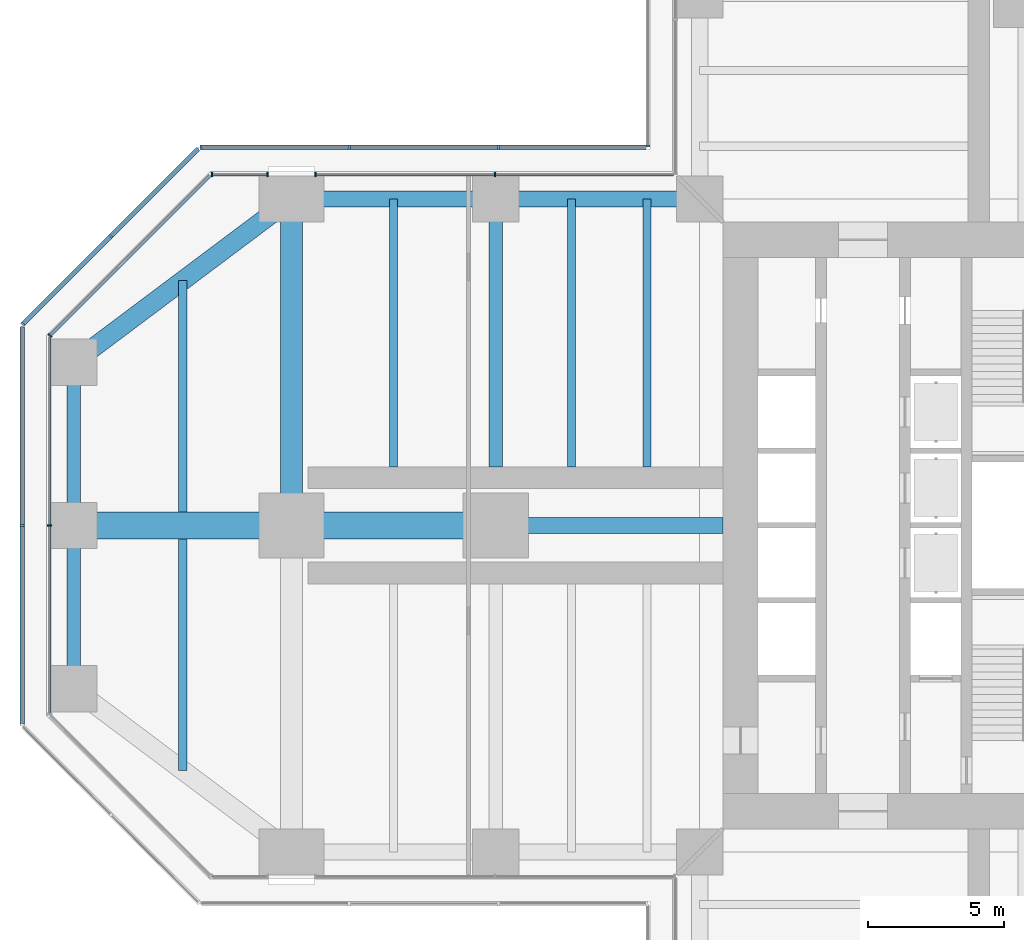
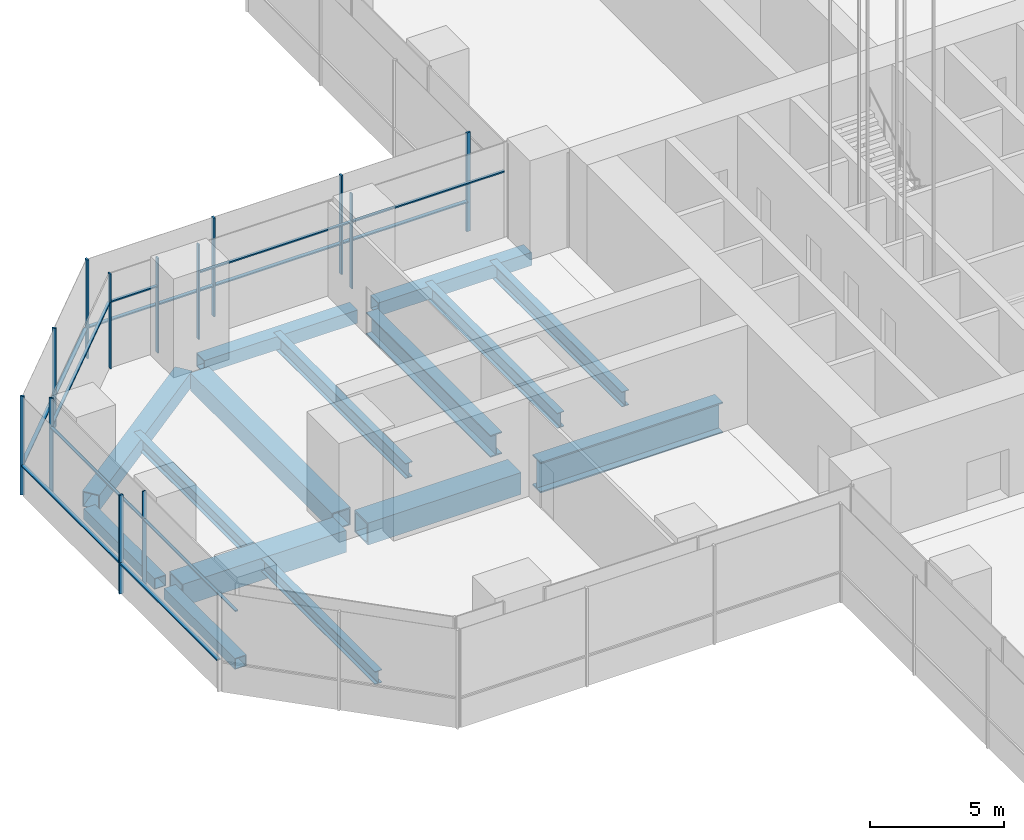
# One storey, part 7 of 27: 26 members, 15 beams, 8 elements without a shape of their own.
"""IFC4 building model written with IfcOpenShell, lengths in metres."""

from ifc_helpers import new_model, si_unit, direction, frame, origin, origin_2d, place, context, subcontext, project, spatial, rectangle, hollow_rectangle, i_section, extrude, material, material_profile, profile_set, type_object, element, aggregate, save


model = new_model("IFC4")

# Units and contexts
model_context = context("Model", 3, precision=1e-05, world=origin(), true_north=direction((0.0, 1.0)))
body_context = subcontext(model_context, "Body", "Model", "MODEL_VIEW")
ifc_project = project(units=[si_unit("LENGTHUNIT", "METRE"), si_unit("AREAUNIT", "SQUARE_METRE"), si_unit("VOLUMEUNIT", "CUBIC_METRE"), si_unit("PLANEANGLEUNIT", "RADIAN"), si_unit("MASSUNIT", "GRAM", prefix="KILO")], contexts=[model_context])

# Site, building, storey
site_placement = place(None, origin())
site = spatial("IfcSite", under=ifc_project, at=site_placement, CompositionType="ELEMENT")
building_placement = place(site_placement, origin())
building = spatial("IfcBuilding", under=site, at=building_placement, Name="Mizan Broadcast Tower", CompositionType="ELEMENT")
storey_placement = place(building_placement, frame((0.0, 0.0, 113.699951171875)))
storey = spatial("IfcBuildingStorey", under=building, at=storey_placement, Name="L25", CompositionType="ELEMENT", Elevation=113.699951171875)

# Beams
ifc_material_1 = material(Name="Steel S355", Category="steel")
ifc_material_profile_1 = material_profile(ifc_material_1, hollow_rectangle(XDim=0.5, YDim=0.5, WallThickness=0.030029296875, at=origin_2d()), Name="BOX 500x500x30")
ifc_profile_set_1 = profile_set([ifc_material_profile_1], Name="Steel S355")
beam_type_1 = type_object("IfcBeamType", Name="EDGE BEAM BOX 500x500x30", PredefinedType="SPANDREL", material=ifc_profile_set_1)
for number, where, z_axis, x_axis, name in (
    (1, (-35.0, 5.639892578125, -0.3798828125), (0.0, -1.0, 0.0), (1.0, 0.0, 0.0), "Edge beam BOX 500x500x30 L25 west arm"),
    (2, (-35.0, -5.639892578125, -0.3798828125), (0.0, 1.0, 0.0), (-1.0, 0.0, 0.0), "Edge beam BOX 500x500x30 L25 west arm"),
):
    element("IfcBeam", number, at=place(storey_placement, frame(where, z_axis=z_axis, x_axis=x_axis)), inside=storey, type_object=beam_type_1, Name=name, PredefinedType="SPANDREL", context=body_context, shape_type="SweptSolid", body=[
        extrude(hollow_rectangle(XDim=0.5, YDim=0.5, WallThickness=0.030029296875, at=origin_2d()), origin(), (0.0, 0.0, 1.0), 5.27978515625),
    ])
ifc_material_2 = material(Name="Steel S355", Category="steel")
ifc_material_profile_2 = material_profile(ifc_material_2, hollow_rectangle(XDim=0.60009765625, YDim=0.60009765625, WallThickness=0.0400390625, at=origin_2d()), Name="BOX 600x600x40")
ifc_profile_set_2 = profile_set([ifc_material_profile_2], Name="Steel S355")
beam_type_2 = type_object("IfcBeamType", Name="EDGE BEAM BOX 600x600x40", PredefinedType="SPANDREL", material=ifc_profile_set_2)
for number, where, z_axis, x_axis, name in (
    (3, (-12.449951171875, 12.0, -0.429931640625), (-1.0, 0.0, 0.0), (0.0, -1.0, 0.0), "Edge beam BOX 600x600x40 L25 west arm"),
    (4, (-19.949951171875, 12.0, -0.429931640625), (-1.0, 0.0, 0.0), (0.0, -1.0, 0.0), "Edge beam BOX 600x600x40 L25 west arm"),
):
    element("IfcBeam", number, at=place(storey_placement, frame(where, z_axis=z_axis, x_axis=x_axis)), inside=storey, type_object=beam_type_2, Name=name, PredefinedType="SPANDREL", context=body_context, shape_type="SweptSolid", body=[
        extrude(hollow_rectangle(XDim=0.60009765625, YDim=0.60009765625, WallThickness=0.0400390625, at=origin_2d()), origin(), (0.0, 0.0, 1.0), 6.60009765625),
    ])
ifc_material_3 = material(Name="Steel S355", Category="steel")
ifc_material_profile_3 = material_profile(ifc_material_3, hollow_rectangle(XDim=0.699951171875, YDim=0.699951171875, WallThickness=0.0400390625, at=origin_2d()), Name="BOX 700x700x40")
ifc_profile_set_3 = profile_set([ifc_material_profile_3], Name="Steel S355")
beam_type_3 = type_object("IfcBeamType", Name="EDGE BEAM BOX 700x700x40", PredefinedType="SPANDREL", material=ifc_profile_set_3)
beam_1_placement = place(storey_placement, frame((-27.47998046875, 11.639892578125, -0.47998046875), z_axis=(-0.800013316712, -0.599982243973, 0.0), x_axis=(0.599982243973, -0.800013316712, 0.0)))
element("IfcBeam", 5, at=beam_1_placement, inside=storey, type_object=beam_type_3, Name="Edge beam BOX 700x700x40 L25 west arm", PredefinedType="SPANDREL", context=body_context, shape_type="SweptSolid", body=[
    extrude(hollow_rectangle(XDim=0.699951171875, YDim=0.699951171875, WallThickness=0.0400390625, at=origin_2d()), origin(), (0.0, 0.0, 1.0), 8.7998046875),
])
ifc_material_4 = material(Name="Steel S460", Category="steel")
ifc_material_profile_4 = material_profile(ifc_material_4, hollow_rectangle(XDim=1.0, YDim=1.0, WallThickness=0.080078125, at=origin_2d()), Name="BOX 1000x1000x80")
ifc_profile_set_4 = profile_set([ifc_material_profile_4], Name="Steel S460")
beam_type_4 = type_object("IfcBeamType", Name="GIRDER BOX 1000x1000x80", PredefinedType="BEAM", material=ifc_profile_set_4)
beam_2_placement = place(storey_placement, frame((-19.949951171875, 0.0, -0.6298828125), z_axis=(-1.0, 0.0, 0.0), x_axis=(0.0, -1.0, 0.0)))
element("IfcBeam", 6, at=beam_2_placement, inside=storey, type_object=beam_type_4, Name="Girder BOX 1000x1000x80 L25 west arm", PredefinedType="BEAM", context=body_context, shape_type="SweptSolid", body=[
    extrude(hollow_rectangle(XDim=1.0, YDim=1.0, WallThickness=0.080078125, at=origin_2d()), origin(), (0.0, 0.0, 1.0), 6.60009765625),
])
beam_3_placement = place(storey_placement, frame((-27.47998046875, 0.0, -0.6298828125), z_axis=(-1.0, 0.0, 0.0), x_axis=(0.0, -1.0, 0.0)))
element("IfcBeam", 7, at=beam_3_placement, inside=storey, type_object=beam_type_4, Name="Girder BOX 1000x1000x80 L25 west arm", PredefinedType="BEAM", context=body_context, shape_type="SweptSolid", body=[
    extrude(hollow_rectangle(XDim=1.0, YDim=1.0, WallThickness=0.080078125, at=origin_2d()), origin(), (0.0, 0.0, 1.0), 7.0400390625),
])
ifc_material_5 = material(Name="Steel S460", Category="steel")
ifc_material_profile_5 = material_profile(ifc_material_5, hollow_rectangle(XDim=0.800048828125, YDim=0.800048828125, WallThickness=0.050048828125, at=origin_2d()), Name="BOX 800x800x50")
ifc_profile_set_5 = profile_set([ifc_material_profile_5], Name="Steel S460")
beam_type_5 = type_object("IfcBeamType", Name="GIRDER BOX 800x800x50", PredefinedType="BEAM", material=ifc_profile_set_5)
beam_4_placement = place(storey_placement, frame((-27.0, 11.280029296875, -0.530029296875), z_axis=(0.0, -1.0, 0.0), x_axis=(1.0, 0.0, 0.0)))
element("IfcBeam", 8, at=beam_4_placement, inside=storey, type_object=beam_type_5, Name="Girder BOX 800x800x50 L25 west arm", PredefinedType="BEAM", context=body_context, shape_type="SweptSolid", body=[
    extrude(hollow_rectangle(XDim=0.800048828125, YDim=0.800048828125, WallThickness=0.050048828125, at=origin_2d()), origin(), (0.0, 0.0, 1.0), 10.56005859375),
])
ifc_material_6 = material(Name="Steel S460", Category="steel")
ifc_material_profile_6 = material_profile(ifc_material_6, i_section(OverallWidth=0.5, OverallDepth=1.0, WebThickness=0.02490234375, FlangeThickness=0.050048828125, at=origin_2d()), Name="WPG 1000x500")
ifc_profile_set_6 = profile_set([ifc_material_profile_6], Name="Steel S460")
beam_type_6 = type_object("IfcBeamType", Name="GIRDER WPG 1000x500", PredefinedType="BEAM", material=ifc_profile_set_6)
beam_5_placement = place(storey_placement, frame((-19.5, 11.408935546875, -0.6298828125), z_axis=(0.0, -1.0, 0.0), x_axis=(1.0, 0.0, 0.0)))
element("IfcBeam", 9, at=beam_5_placement, inside=storey, type_object=beam_type_6, Name="Girder WPG 1000x500 L25 west arm", PredefinedType="BEAM", context=body_context, shape_type="SweptSolid", body=[
    extrude(i_section(OverallWidth=0.5, OverallDepth=1.0, WebThickness=0.02490234375, FlangeThickness=0.050048828125, at=origin_2d()), origin(), (0.0, 0.0, 1.0), 9.259033203125),
])
ifc_material_7 = material(Name="Steel S460", Category="steel")
ifc_material_profile_7 = material_profile(ifc_material_7, i_section(OverallWidth=0.60009765625, OverallDepth=1.39990234375, WebThickness=0.02490234375, FlangeThickness=0.06005859375, at=origin_2d()), Name="WPG 1400x600")
ifc_profile_set_7 = profile_set([ifc_material_profile_7], Name="Steel S460")
beam_type_7 = type_object("IfcBeamType", Name="GIRDER WPG 1400x600", PredefinedType="BEAM", material=ifc_profile_set_7)
beam_6_placement = place(storey_placement, frame((-11.14990234375, 0.0, -0.829833984375), z_axis=(-1.0, 0.0, 0.0), x_axis=(0.0, -1.0, 0.0)))
element("IfcBeam", 10, at=beam_6_placement, inside=storey, type_object=beam_type_7, Name="Girder WPG 1400x600 L25 west arm", PredefinedType="BEAM", context=body_context, shape_type="SweptSolid", body=[
    extrude(i_section(OverallWidth=0.60009765625, OverallDepth=1.39990234375, WebThickness=0.02490234375, FlangeThickness=0.06005859375, at=origin_2d()), origin(), (0.0, 0.0, 1.0), 7.84912109375),
])

# Curtain wall, members
ifc_material_8 = material(Name="Aluminium framed glazing", Category="aluminium")
curtain_wall_type_1 = type_object("IfcCurtainWallType", Name="INNER SKIN MID ZONE", PredefinedType="USERDEFINED", material=ifc_material_8)
curtain_wall_1_placement = place(storey_placement, origin())
curtain_wall_1 = element("IfcCurtainWall", 11, at=curtain_wall_1_placement, inside=storey, type_object=curtain_wall_type_1, Name="Inner skin mid zone L25 W side", ObjectType="INNER SKIN MID ZONE", PredefinedType="USERDEFINED")
ifc_material_9 = material(Name="Aluminium, pale anodised", Category="aluminium")
ifc_material_profile_8 = material_profile(ifc_material_9, rectangle(XDim=0.159912109375, YDim=0.06005859375, at=origin_2d()), Name="MULLION 160x60")
ifc_profile_set_8 = profile_set([ifc_material_profile_8], Name="Aluminium, pale anodised")
member_type_1 = type_object("IfcMemberType", Name="INNER SKIN MULLION 60x160", PredefinedType="MULLION", material=ifc_profile_set_8)
member_1_placement = place(storey_placement, frame((-19.52490234375, 12.89990234375, 0.0), z_axis=(0.0, 0.0, 1.0), x_axis=(0.0, -1.0, 0.0)))
member_1 = element("IfcMember", 12, at=member_1_placement, type_object=member_type_1, Name="Inner skin mid zone L25 W side mullion 2", PredefinedType="MULLION", context=body_context, shape_type="SweptSolid", body=[
    extrude(rectangle(XDim=0.159912109375, YDim=0.06005859375, at=origin_2d()), origin(), (0.0, 0.0, 1.0), 4.320068359375),
])
member_2_placement = place(storey_placement, frame((-26.1201171875, 12.89990234375, 0.0), z_axis=(0.0, 0.0, 1.0), x_axis=(0.0, -1.0, 0.0)))
member_2 = element("IfcMember", 13, at=member_2_placement, type_object=member_type_1, Name="Inner skin mid zone L25 W side mullion 3", PredefinedType="MULLION", context=body_context, shape_type="SweptSolid", body=[
    extrude(rectangle(XDim=0.159912109375, YDim=0.06005859375, at=origin_2d()), origin(), (0.0, 0.0, 1.0), 4.320068359375),
])

curtain_wall_2_placement = place(storey_placement, origin())
curtain_wall_2 = element("IfcCurtainWall", 14, at=curtain_wall_2_placement, inside=storey, type_object=curtain_wall_type_1, Name="Inner skin mid zone L25 W side", ObjectType="INNER SKIN MID ZONE", PredefinedType="USERDEFINED")
member_3_placement = place(storey_placement, frame((-27.8798828125, 12.89990234375, 0.0), z_axis=(0.0, 0.0, 1.0), x_axis=(0.0, -1.0, 0.0)))
member_3 = element("IfcMember", 15, at=member_3_placement, type_object=member_type_1, Name="Inner skin mid zone L25 W side mullion 1", PredefinedType="MULLION", context=body_context, shape_type="SweptSolid", body=[
    extrude(rectangle(XDim=0.159912109375, YDim=0.06005859375, at=origin_2d()), origin(), (0.0, 0.0, 1.0), 4.320068359375),
])
member_4_placement = place(storey_placement, frame((-29.928466796875, 12.89990234375, 0.0), z_axis=(0.0, 0.0, 1.0), x_axis=(0.0, -1.0, 0.0)))
member_4 = element("IfcMember", 16, at=member_4_placement, type_object=member_type_1, Name="Inner skin mid zone L25 W side mullion 2", PredefinedType="MULLION", context=body_context, shape_type="SweptSolid", body=[
    extrude(rectangle(XDim=0.159912109375, YDim=0.06005859375, at=origin_2d()), origin(), (0.0, 0.0, 1.0), 4.320068359375),
])

# Curtain wall, member
curtain_wall_3_placement = place(storey_placement, origin())
curtain_wall_3 = element("IfcCurtainWall", 17, at=curtain_wall_3_placement, inside=storey, type_object=curtain_wall_type_1, Name="Inner skin mid zone L25 W chamfer", ObjectType="INNER SKIN MID ZONE", PredefinedType="USERDEFINED")
member_5_placement = place(storey_placement, frame((-35.87890625, 6.979736328125, 0.0), z_axis=(0.0, 0.0, 1.0), x_axis=(0.707106781187, -0.707106781187, 0.0)))
member_5 = element("IfcMember", 18, at=member_5_placement, type_object=member_type_1, Name="Inner skin mid zone L25 W chamfer mullion 2", PredefinedType="MULLION", context=body_context, shape_type="SweptSolid", body=[
    extrude(rectangle(XDim=0.159912109375, YDim=0.06005859375, at=origin_2d()), origin(), (0.0, 0.0, 1.0), 4.320068359375),
])

curtain_wall_4_placement = place(storey_placement, origin())
curtain_wall_4 = element("IfcCurtainWall", 19, at=curtain_wall_4_placement, inside=storey, type_object=curtain_wall_type_1, Name="Inner skin mid zone L25 W end", ObjectType="INNER SKIN MID ZONE", PredefinedType="USERDEFINED")
member_6_placement = place(storey_placement, frame((-35.89990234375, 0.0, 0.0), z_axis=(0.0, 0.0, 1.0), x_axis=(1.0, 0.0, 0.0)))
member_6 = element("IfcMember", 20, at=member_6_placement, type_object=member_type_1, Name="Inner skin mid zone L25 W end mullion 2", PredefinedType="MULLION", context=body_context, shape_type="SweptSolid", body=[
    extrude(rectangle(XDim=0.159912109375, YDim=0.06005859375, at=origin_2d()), origin(), (0.0, 0.0, 1.0), 4.320068359375),
])

# Member
ifc_material_10 = material(Name="Aluminium, pale anodised", Category="aluminium")
ifc_material_profile_9 = material_profile(ifc_material_10, rectangle(XDim=0.1201171875, YDim=0.06005859375, at=origin_2d()), Name="TRANSOM 120x60")
ifc_profile_set_9 = profile_set([ifc_material_profile_9], Name="Aluminium, pale anodised")
member_type_2 = type_object("IfcMemberType", Name="INNER SKIN TRANSOM 60x120", PredefinedType="USERDEFINED", material=ifc_profile_set_9)
member_7_placement = place(storey_placement, frame((-12.9599609375, 12.89990234375, 3.030029296875), z_axis=(-1.0, 0.0, 0.0), x_axis=(0.0, -1.0, 0.0)))
member_7 = element("IfcMember", 21, at=member_7_placement, type_object=member_type_2, Name="Inner skin mid zone L25 W side transom 1.1", ObjectType="TRANSOM", PredefinedType="USERDEFINED", context=body_context, shape_type="SweptSolid", body=[
    extrude(rectangle(XDim=0.1201171875, YDim=0.06005859375, at=origin_2d()), origin(), (0.0, 0.0, 1.0), 6.53515625),
])

member_8_placement = place(storey_placement, frame((-19.554931640625, 12.89990234375, 3.030029296875), z_axis=(-1.0, 0.0, 0.0), x_axis=(0.0, -1.0, 0.0)))
member_8 = element("IfcMember", 22, at=member_8_placement, type_object=member_type_2, Name="Inner skin mid zone L25 W side transom 2.1", ObjectType="TRANSOM", PredefinedType="USERDEFINED", context=body_context, shape_type="SweptSolid", body=[
    extrude(rectangle(XDim=0.1201171875, YDim=0.06005859375, at=origin_2d()), origin(), (0.0, 0.0, 1.0), 6.53515625),
])

aggregate(curtain_wall_1, [member_1, member_2, member_7, member_8])

member_9_placement = place(storey_placement, frame((-27.909912109375, 12.89990234375, 3.030029296875), z_axis=(-1.0, 0.0, 0.0), x_axis=(0.0, -1.0, 0.0)))
member_9 = element("IfcMember", 23, at=member_9_placement, type_object=member_type_2, Name="Inner skin mid zone L25 W side transom 1.1", ObjectType="TRANSOM", PredefinedType="USERDEFINED", context=body_context, shape_type="SweptSolid", body=[
    extrude(rectangle(XDim=0.1201171875, YDim=0.06005859375, at=origin_2d()), origin(), (0.0, 0.0, 1.0), 1.98876953125),
])

aggregate(curtain_wall_2, [member_3, member_4, member_9])

member_10_placement = place(storey_placement, frame((-30.0009765625, 12.857666015625, 3.030029296875), z_axis=(-0.707106781187, -0.707106781187, 0.0), x_axis=(0.707106781187, -0.707106781187, 0.0)))
member_10 = element("IfcMember", 24, at=member_10_placement, type_object=member_type_2, Name="Inner skin mid zone L25 W chamfer transom 1.1", ObjectType="TRANSOM", PredefinedType="USERDEFINED", context=body_context, shape_type="SweptSolid", body=[
    extrude(rectangle(XDim=0.1201171875, YDim=0.06005859375, at=origin_2d()), origin(), (0.0, 0.0, 1.0), 8.28271484375),
])

aggregate(curtain_wall_3, [member_5, member_10])

member_11_placement = place(storey_placement, frame((-35.89990234375, 6.898681640625, 3.030029296875), z_axis=(0.0, -1.0, 0.0), x_axis=(1.0, 0.0, 0.0)))
member_11 = element("IfcMember", 25, at=member_11_placement, type_object=member_type_2, Name="Inner skin mid zone L25 W end transom 1.1", ObjectType="TRANSOM", PredefinedType="USERDEFINED", context=body_context, shape_type="SweptSolid", body=[
    extrude(rectangle(XDim=0.1201171875, YDim=0.06005859375, at=origin_2d()), origin(), (0.0, 0.0, 1.0), 6.86865234375),
])

member_12_placement = place(storey_placement, frame((-35.89990234375, -0.030029296875, 3.030029296875), z_axis=(0.0, -1.0, 0.0), x_axis=(1.0, 0.0, 0.0)))
member_12 = element("IfcMember", 26, at=member_12_placement, type_object=member_type_2, Name="Inner skin mid zone L25 W end transom 2.1", ObjectType="TRANSOM", PredefinedType="USERDEFINED", context=body_context, shape_type="SweptSolid", body=[
    extrude(rectangle(XDim=0.1201171875, YDim=0.06005859375, at=origin_2d()), origin(), (0.0, 0.0, 1.0), 6.86865234375),
])

aggregate(curtain_wall_4, [member_6, member_11, member_12])

# Curtain wall, member
ifc_material_11 = material(Name="Aluminium framed glazing", Category="aluminium")
curtain_wall_type_2 = type_object("IfcCurtainWallType", Name="OUTER SKIN", PredefinedType="USERDEFINED", material=ifc_material_11)
curtain_wall_5_placement = place(storey_placement, origin())
curtain_wall_5 = element("IfcCurtainWall", 27, at=curtain_wall_5_placement, inside=storey, type_object=curtain_wall_type_2, Name="Outer skin L25 N side", ObjectType="OUTER SKIN", PredefinedType="USERDEFINED")
ifc_material_12 = material(Name="Aluminium, pale anodised", Category="aluminium")
ifc_material_profile_10 = material_profile(ifc_material_12, rectangle(XDim=0.159912109375, YDim=0.080078125, at=origin_2d()), Name="MULLION 160x80")
ifc_profile_set_10 = profile_set([ifc_material_profile_10], Name="Aluminium, pale anodised")
member_type_3 = type_object("IfcMemberType", Name="OUTER SKIN MULLION 80x160", PredefinedType="MULLION", material=ifc_profile_set_10)
member_13_placement = place(storey_placement, frame((-13.89990234375, 13.93994140625, 0.0), z_axis=(0.0, 0.0, 1.0), x_axis=(1.0, 0.0, 0.0)))
member_13 = element("IfcMember", 28, at=member_13_placement, type_object=member_type_3, Name="Outer skin L25 N side mullion 4", PredefinedType="MULLION", context=body_context, shape_type="SweptSolid", body=[
    extrude(rectangle(XDim=0.159912109375, YDim=0.080078125, at=origin_2d()), origin(), (0.0, 0.0, 1.0), 4.5),
])
aggregate(curtain_wall_5, [member_13])

# Curtain wall, members
curtain_wall_6_placement = place(storey_placement, origin())
curtain_wall_6 = element("IfcCurtainWall", 29, at=curtain_wall_6_placement, inside=storey, type_object=curtain_wall_type_2, Name="Outer skin L25 W side", ObjectType="OUTER SKIN", PredefinedType="USERDEFINED")
member_14_placement = place(storey_placement, frame((-19.390869140625, 13.89990234375, 0.0), z_axis=(0.0, 0.0, 1.0), x_axis=(0.0, -1.0, 0.0)))
member_14 = element("IfcMember", 30, at=member_14_placement, type_object=member_type_3, Name="Outer skin L25 W side mullion 2", PredefinedType="MULLION", context=body_context, shape_type="SweptSolid", body=[
    extrude(rectangle(XDim=0.159912109375, YDim=0.080078125, at=origin_2d()), origin(), (0.0, 0.0, 1.0), 4.5),
])
member_15_placement = place(storey_placement, frame((-24.8818359375, 13.89990234375, 0.0), z_axis=(0.0, 0.0, 1.0), x_axis=(0.0, -1.0, 0.0)))
member_15 = element("IfcMember", 31, at=member_15_placement, type_object=member_type_3, Name="Outer skin L25 W side mullion 3", PredefinedType="MULLION", context=body_context, shape_type="SweptSolid", body=[
    extrude(rectangle(XDim=0.159912109375, YDim=0.080078125, at=origin_2d()), origin(), (0.0, 0.0, 1.0), 4.5),
])
member_16_placement = place(storey_placement, frame((-30.332763671875, 13.89990234375, 0.0), z_axis=(0.0, 0.0, 1.0), x_axis=(0.0, -1.0, 0.0)))
member_16 = element("IfcMember", 32, at=member_16_placement, type_object=member_type_3, Name="Outer skin L25 W side mullion 4", PredefinedType="MULLION", context=body_context, shape_type="SweptSolid", body=[
    extrude(rectangle(XDim=0.159912109375, YDim=0.080078125, at=origin_2d()), origin(), (0.0, 0.0, 1.0), 4.5),
])

curtain_wall_7_placement = place(storey_placement, origin())
curtain_wall_7 = element("IfcCurtainWall", 33, at=curtain_wall_7_placement, inside=storey, type_object=curtain_wall_type_2, Name="Outer skin L25 W chamfer", ObjectType="OUTER SKIN", PredefinedType="USERDEFINED")
member_17_placement = place(storey_placement, frame((-33.636474609375, 10.636474609375, 0.0), z_axis=(0.0, 0.0, 1.0), x_axis=(0.707106781187, -0.707106781187, 0.0)))
member_17 = element("IfcMember", 34, at=member_17_placement, type_object=member_type_3, Name="Outer skin L25 W chamfer mullion 2", PredefinedType="MULLION", context=body_context, shape_type="SweptSolid", body=[
    extrude(rectangle(XDim=0.159912109375, YDim=0.080078125, at=origin_2d()), origin(), (0.0, 0.0, 1.0), 4.5),
])
member_18_placement = place(storey_placement, frame((-36.871826171875, 7.401123046875, 0.0), z_axis=(0.0, 0.0, 1.0), x_axis=(0.707106781187, -0.707106781187, 0.0)))
member_18 = element("IfcMember", 35, at=member_18_placement, type_object=member_type_3, Name="Outer skin L25 W chamfer mullion 3", PredefinedType="MULLION", context=body_context, shape_type="SweptSolid", body=[
    extrude(rectangle(XDim=0.159912109375, YDim=0.080078125, at=origin_2d()), origin(), (0.0, 0.0, 1.0), 4.5),
])

# Curtain wall, member
curtain_wall_8_placement = place(storey_placement, origin())
curtain_wall_8 = element("IfcCurtainWall", 36, at=curtain_wall_8_placement, inside=storey, type_object=curtain_wall_type_2, Name="Outer skin L25 W end", ObjectType="OUTER SKIN", PredefinedType="USERDEFINED")
member_19_placement = place(storey_placement, frame((-36.89990234375, 0.0, 0.0), z_axis=(0.0, 0.0, 1.0), x_axis=(1.0, 0.0, 0.0)))
member_19 = element("IfcMember", 37, at=member_19_placement, type_object=member_type_3, Name="Outer skin L25 W end mullion 2", PredefinedType="MULLION", context=body_context, shape_type="SweptSolid", body=[
    extrude(rectangle(XDim=0.159912109375, YDim=0.080078125, at=origin_2d()), origin(), (0.0, 0.0, 1.0), 4.5),
])

# Member
ifc_material_13 = material(Name="Aluminium, pale anodised", Category="aluminium")
ifc_material_profile_11 = material_profile(ifc_material_13, rectangle(XDim=0.159912109375, YDim=0.06005859375, at=origin_2d()), Name="TRANSOM 160x60")
ifc_profile_set_11 = profile_set([ifc_material_profile_11], Name="Aluminium, pale anodised")
member_type_4 = type_object("IfcMemberType", Name="OUTER SKIN TRANSOM 60x160", PredefinedType="USERDEFINED", material=ifc_profile_set_11)
member_20_placement = place(storey_placement, frame((-13.97998046875, 13.89990234375, 1.400146484375), z_axis=(-1.0, 0.0, 0.0), x_axis=(0.0, -1.0, 0.0)))
member_20 = element("IfcMember", 38, at=member_20_placement, type_object=member_type_4, Name="Outer skin L25 W side transom 1.1", ObjectType="TRANSOM", PredefinedType="USERDEFINED", context=body_context, shape_type="SweptSolid", body=[
    extrude(rectangle(XDim=0.159912109375, YDim=0.06005859375, at=origin_2d()), origin(), (0.0, 0.0, 1.0), 5.370849609375),
])

member_21_placement = place(storey_placement, frame((-19.430908203125, 13.89990234375, 1.400146484375), z_axis=(-1.0, 0.0, 0.0), x_axis=(0.0, -1.0, 0.0)))
member_21 = element("IfcMember", 39, at=member_21_placement, type_object=member_type_4, Name="Outer skin L25 W side transom 2.1", ObjectType="TRANSOM", PredefinedType="USERDEFINED", context=body_context, shape_type="SweptSolid", body=[
    extrude(rectangle(XDim=0.159912109375, YDim=0.06005859375, at=origin_2d()), origin(), (0.0, 0.0, 1.0), 5.410888671875),
])

member_22_placement = place(storey_placement, frame((-24.921875, 13.89990234375, 1.400146484375), z_axis=(-1.0, 0.0, 0.0), x_axis=(0.0, -1.0, 0.0)))
member_22 = element("IfcMember", 40, at=member_22_placement, type_object=member_type_4, Name="Outer skin L25 W side transom 3.1", ObjectType="TRANSOM", PredefinedType="USERDEFINED", context=body_context, shape_type="SweptSolid", body=[
    extrude(rectangle(XDim=0.159912109375, YDim=0.06005859375, at=origin_2d()), origin(), (0.0, 0.0, 1.0), 5.370849609375),
])

aggregate(curtain_wall_6, [member_14, member_15, member_16, member_20, member_21, member_22])

member_23_placement = place(storey_placement, frame((-30.429443359375, 13.843505859375, 1.400146484375), z_axis=(-0.707106781187, -0.707106781187, 0.0), x_axis=(0.707106781187, -0.707106781187, 0.0)))
member_23 = element("IfcMember", 41, at=member_23_placement, type_object=member_type_4, Name="Outer skin L25 W chamfer transom 1.1", ObjectType="TRANSOM", PredefinedType="USERDEFINED", context=body_context, shape_type="SweptSolid", body=[
    extrude(rectangle(XDim=0.159912109375, YDim=0.06005859375, at=origin_2d()), origin(), (0.0, 0.0, 1.0), 4.495361328125),
])

member_24_placement = place(storey_placement, frame((-33.664794921875, 10.608154296875, 1.400146484375), z_axis=(-0.707106781187, -0.707106781187, 0.0), x_axis=(0.707106781187, -0.707106781187, 0.0)))
member_24 = element("IfcMember", 42, at=member_24_placement, type_object=member_type_4, Name="Outer skin L25 W chamfer transom 2.1", ObjectType="TRANSOM", PredefinedType="USERDEFINED", context=body_context, shape_type="SweptSolid", body=[
    extrude(rectangle(XDim=0.159912109375, YDim=0.06005859375, at=origin_2d()), origin(), (0.0, 0.0, 1.0), 4.495361328125),
])

aggregate(curtain_wall_7, [member_17, member_18, member_23, member_24])

member_25_placement = place(storey_placement, frame((-36.89990234375, 7.292724609375, 1.400146484375), z_axis=(0.0, -1.0, 0.0), x_axis=(1.0, 0.0, 0.0)))
member_25 = element("IfcMember", 43, at=member_25_placement, type_object=member_type_4, Name="Outer skin L25 W end transom 1.1", ObjectType="TRANSOM", PredefinedType="USERDEFINED", context=body_context, shape_type="SweptSolid", body=[
    extrude(rectangle(XDim=0.159912109375, YDim=0.06005859375, at=origin_2d()), origin(), (0.0, 0.0, 1.0), 7.252685546875),
])

member_26_placement = place(storey_placement, frame((-36.89990234375, -0.0400390625, 1.400146484375), z_axis=(0.0, -1.0, 0.0), x_axis=(1.0, 0.0, 0.0)))
member_26 = element("IfcMember", 44, at=member_26_placement, type_object=member_type_4, Name="Outer skin L25 W end transom 2.1", ObjectType="TRANSOM", PredefinedType="USERDEFINED", context=body_context, shape_type="SweptSolid", body=[
    extrude(rectangle(XDim=0.159912109375, YDim=0.06005859375, at=origin_2d()), origin(), (0.0, 0.0, 1.0), 7.252685546875),
])

aggregate(curtain_wall_8, [member_19, member_25, member_26])

# Beams
ifc_material_14 = material(Name="Steel S355", Category="steel")
ifc_material_profile_12 = material_profile(ifc_material_14, i_section(OverallWidth=0.300048828125, OverallDepth=0.590087890625, WebThickness=0.012939453125, FlangeThickness=0.02490234375, FilletRadius=0.027099609375, at=origin_2d()), Name="HEA 600")
ifc_profile_set_12 = profile_set([ifc_material_profile_12], Name="Steel S355")
beam_type_8 = type_object("IfcBeamType", Name="SECONDARY BEAM HEA 600", PredefinedType="JOIST", material=ifc_profile_set_12)
for number, where, z_axis, x_axis, name in (
    (45, (-31.0, 9.0, -0.425048828125), (0.0, -1.0, 0.0), (1.0, 0.0, 0.0), "Secondary beam HEA 600 L25 west arm"),
    (46, (-31.0, -9.0, -0.425048828125), (0.0, 1.0, 0.0), (-1.0, 0.0, 0.0), "Secondary beam HEA 600 L25 west arm"),
):
    element("IfcBeam", number, at=place(storey_placement, frame(where, z_axis=z_axis, x_axis=x_axis)), inside=storey, type_object=beam_type_8, Name=name, PredefinedType="JOIST", context=body_context, shape_type="SweptSolid", body=[
        extrude(i_section(OverallWidth=0.300048828125, OverallDepth=0.590087890625, WebThickness=0.012939453125, FlangeThickness=0.02490234375, FilletRadius=0.027099609375, at=origin_2d()), origin(), (0.0, 0.0, 1.0), 8.5),
    ])
ifc_material_15 = material(Name="Steel S355", Category="steel")
ifc_material_profile_13 = material_profile(ifc_material_15, i_section(OverallWidth=0.300048828125, OverallDepth=0.68994140625, WebThickness=0.014404296875, FlangeThickness=0.027099609375, FilletRadius=0.027099609375, at=origin_2d()), Name="HEA 700")
ifc_profile_set_13 = profile_set([ifc_material_profile_13], Name="Steel S355")
beam_type_9 = type_object("IfcBeamType", Name="SECONDARY BEAM HEA 700", PredefinedType="JOIST", material=ifc_profile_set_13)
for number, where, z_axis, x_axis, name in (
    (47, (-13.933349609375, 12.0, -0.474853515625), (0.0, -1.0, 0.0), (1.0, 0.0, 0.0), "Secondary beam HEA 700 L25 west arm"),
    (48, (-16.716552734375, 12.0, -0.474853515625), (0.0, -1.0, 0.0), (1.0, 0.0, 0.0), "Secondary beam HEA 700 L25 west arm"),
    (49, (-23.25, 12.0, -0.474853515625), (0.0, -1.0, 0.0), (1.0, 0.0, 0.0), "Secondary beam HEA 700 L25 west arm"),
):
    element("IfcBeam", number, at=place(storey_placement, frame(where, z_axis=z_axis, x_axis=x_axis)), inside=storey, type_object=beam_type_9, Name=name, PredefinedType="JOIST", context=body_context, shape_type="SweptSolid", body=[
        extrude(i_section(OverallWidth=0.300048828125, OverallDepth=0.68994140625, WebThickness=0.014404296875, FlangeThickness=0.027099609375, FilletRadius=0.027099609375, at=origin_2d()), origin(), (0.0, 0.0, 1.0), 9.85009765625),
    ])

save(model, "model.ifc")
